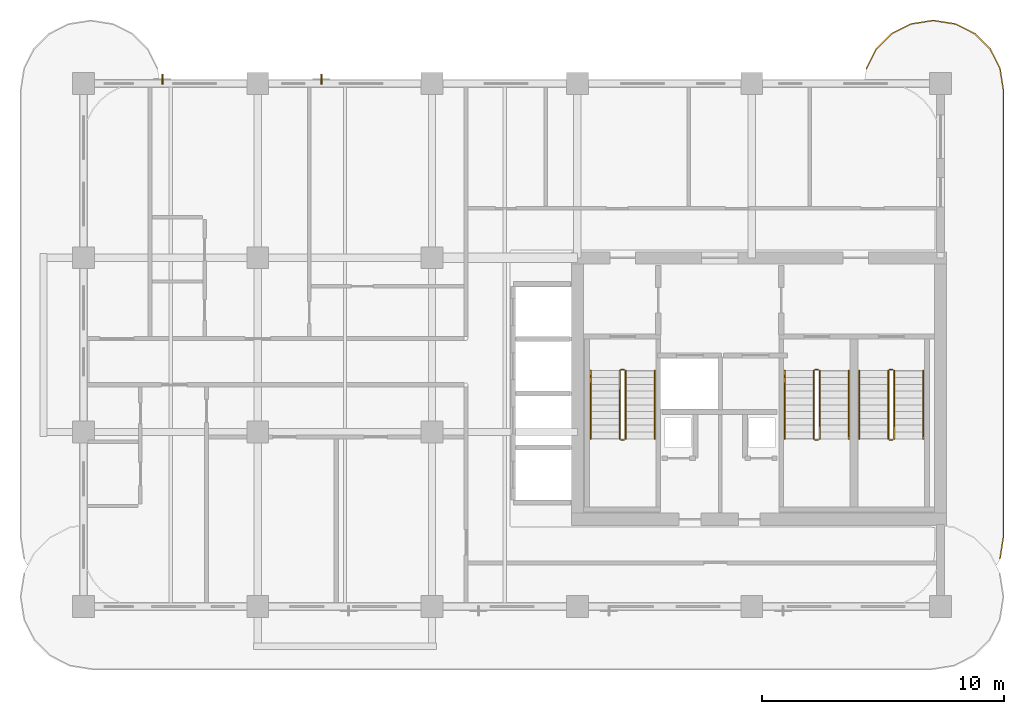
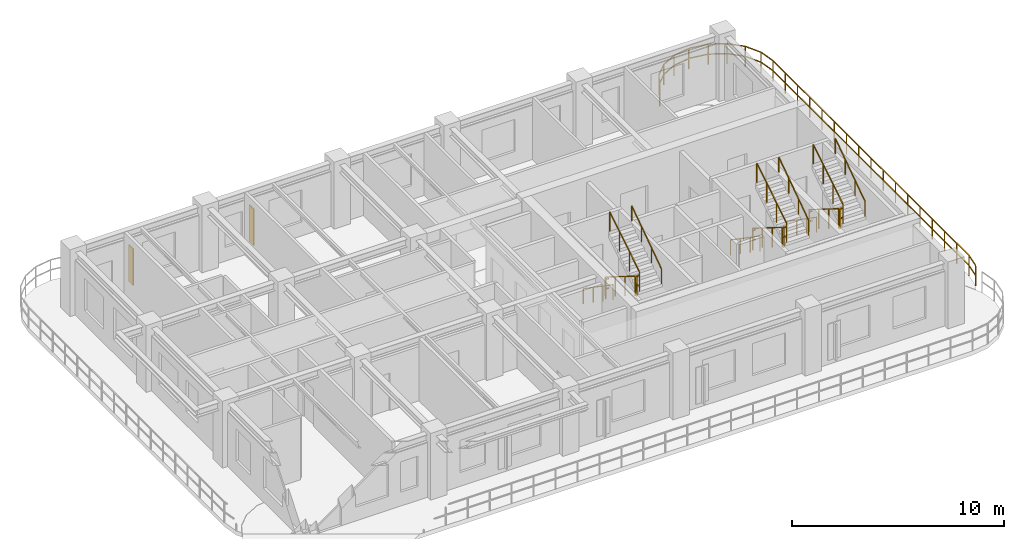
# One storey, part 7 of 7: 19 railings, 2 shading devices.
"""IFC4 building model written with IfcOpenShell, lengths in metres."""

from ifc_helpers import new_model, si_unit, derived_unit, direction, frame, origin, origin_2d, place, context, subcontext, project, spatial, rectangle, extrude, source, transform, mapped, material, layer, layer_set, type_object, type_shapes, element, save


model = new_model("IFC4")

# Units and contexts
model_context = context("Model", 3, precision=1e-05, world=origin(), true_north=direction((0.0, 1.0)))
body_context = subcontext(model_context, "Body", "Model", "MODEL_VIEW")
ifc_project = project(units=[si_unit("LENGTHUNIT", "METRE"), si_unit("AREAUNIT", "SQUARE_METRE"), si_unit("VOLUMEUNIT", "CUBIC_METRE"), si_unit("PLANEANGLEUNIT", "RADIAN"), si_unit("MASSUNIT", "GRAM", prefix="KILO"), si_unit("THERMODYNAMICTEMPERATUREUNIT", "KELVIN"), si_unit("POWERUNIT", "WATT"), derived_unit("THERMALTRANSMITTANCEUNIT", [(si_unit("POWERUNIT", "WATT"), 1), (si_unit("AREAUNIT", "SQUARE_METRE"), -1), (si_unit("THERMODYNAMICTEMPERATUREUNIT", "KELVIN"), -1)])], contexts=[model_context])

# Site, building, storey
site_placement = place(None, origin())
site = spatial("IfcSite", under=ifc_project, at=site_placement, CompositionType="ELEMENT")
building_placement = place(site_placement, origin())
building = spatial("IfcBuilding", under=site, at=building_placement, Name="Zahravan Archway Hotel and Residences", CompositionType="ELEMENT")
storey_placement = place(building_placement, frame((0.0, 0.0, 217.300048828125)))
storey = spatial("IfcBuildingStorey", under=building, at=storey_placement, Name="L54", CompositionType="ELEMENT", Elevation=217.300048828125)

# Railings
ifc_material_1 = material(Name="Bronze & Laminated Glass Balustrade", Category="glass")
railing_type_1 = type_object("IfcRailingType", Name="RL-BAL-1200", PredefinedType="BALUSTRADE", material=ifc_material_1)
railing_1_placement = place(storey_placement, frame((46.739501953125, 22.230712890625, 0.0)))
element("IfcRailing", 1, at=railing_1_placement, inside=storey, type_object=railing_type_1, Name="L54 Balustrade RL-SLB-BAL-L54-EA-1", PredefinedType="BALUSTRADE", context=body_context, shape_type="SweptSolid", body=[
    extrude(rectangle(XDim=0.048095703125, YDim=0.048095703125, at=origin_2d()), frame((0.0, 0.0, 1.17578125), z_axis=(0.453991409995, 0.891006060389, 0.0), x_axis=(-0.891006060389, 0.453991409995, 0.0)), (0.0, 0.0, 1.0), 0.8916015625),
    extrude(rectangle(XDim=0.048095703125, YDim=0.048095703125, at=origin_2d()), frame((0.0, 0.0, 0.60009765625), z_axis=(0.453991409995, 0.891006060389, 0.0), x_axis=(-0.891006060389, 0.453991409995, 0.0)), (0.0, 0.0, 1.0), 0.8916015625),
    extrude(rectangle(XDim=0.048095703125, YDim=0.048095703125, at=origin_2d()), frame((0.40478515625, 0.79443359375, 1.17578125), z_axis=(0.707106781187, 0.707106781187, 0.0), x_axis=(-0.707106781187, 0.707106781187, 0.0)), (0.0, 0.0, 1.0), 0.891845703125),
    extrude(rectangle(XDim=0.048095703125, YDim=0.048095703125, at=origin_2d()), frame((0.40478515625, 0.79443359375, 0.60009765625), z_axis=(0.707106781187, 0.707106781187, 0.0), x_axis=(-0.707106781187, 0.707106781187, 0.0)), (0.0, 0.0, 1.0), 0.891845703125),
    extrude(rectangle(XDim=0.048095703125, YDim=0.048095703125, at=origin_2d()), frame((1.035400390625, 1.425048828125, 1.17578125), z_axis=(0.891006060389, 0.453991409995, 0.0), x_axis=(-0.453991409995, 0.891006060389, 0.0)), (0.0, 0.0, 1.0), 0.8916015625),
    extrude(rectangle(XDim=0.048095703125, YDim=0.048095703125, at=origin_2d()), frame((1.035400390625, 1.425048828125, 0.60009765625), z_axis=(0.891006060389, 0.453991409995, 0.0), x_axis=(-0.453991409995, 0.891006060389, 0.0)), (0.0, 0.0, 1.0), 0.8916015625),
    extrude(rectangle(XDim=0.048095703125, YDim=0.048095703125, at=origin_2d()), frame((1.829833984375, 1.829833984375, 1.17578125), z_axis=(0.987700720307, 0.156356282588, 0.0), x_axis=(-0.156356282588, 0.987700720307, 0.0)), (0.0, 0.0, 1.0), 0.8916015625),
    extrude(rectangle(XDim=0.048095703125, YDim=0.048095703125, at=origin_2d()), frame((1.829833984375, 1.829833984375, 0.60009765625), z_axis=(0.987700720307, 0.156356282588, 0.0), x_axis=(-0.156356282588, 0.987700720307, 0.0)), (0.0, 0.0, 1.0), 0.8916015625),
    extrude(rectangle(XDim=0.048095703125, YDim=0.048095703125, at=origin_2d()), frame((2.71044921875, 1.96923828125, 1.17578125), z_axis=(1.0, 0.0, 0.0), x_axis=(0.0, 1.0, 0.0)), (0.0, 0.0, 1.0), 0.10009765625),
    extrude(rectangle(XDim=0.048095703125, YDim=0.048095703125, at=origin_2d()), frame((2.71044921875, 1.96923828125, 0.60009765625), z_axis=(1.0, 0.0, 0.0), x_axis=(0.0, 1.0, 0.0)), (0.0, 0.0, 1.0), 0.10009765625),
    extrude(rectangle(XDim=0.048095703125, YDim=0.048095703125, at=origin_2d()), frame((2.810546875, 1.96923828125, 1.17578125), z_axis=(0.987700720307, -0.156356282588, 0.0), x_axis=(0.156356282588, 0.987700720307, 0.0)), (0.0, 0.0, 1.0), 0.8916015625),
    extrude(rectangle(XDim=0.048095703125, YDim=0.048095703125, at=origin_2d()), frame((2.810546875, 1.96923828125, 0.60009765625), z_axis=(0.987700720307, -0.156356282588, 0.0), x_axis=(0.156356282588, 0.987700720307, 0.0)), (0.0, 0.0, 1.0), 0.8916015625),
    extrude(rectangle(XDim=0.048095703125, YDim=0.048095703125, at=origin_2d()), frame((3.691162109375, 1.829833984375, 1.17578125), z_axis=(0.891006060389, -0.453991409995, 0.0), x_axis=(0.453991409995, 0.891006060389, 0.0)), (0.0, 0.0, 1.0), 0.8916015625),
    extrude(rectangle(XDim=0.048095703125, YDim=0.048095703125, at=origin_2d()), frame((3.691162109375, 1.829833984375, 0.60009765625), z_axis=(0.891006060389, -0.453991409995, 0.0), x_axis=(0.453991409995, 0.891006060389, 0.0)), (0.0, 0.0, 1.0), 0.8916015625),
    extrude(rectangle(XDim=0.048095703125, YDim=0.048095703125, at=origin_2d()), frame((4.485595703125, 1.425048828125, 1.17578125), z_axis=(0.707106781187, -0.707106781187, 0.0), x_axis=(0.707106781187, 0.707106781187, 0.0)), (0.0, 0.0, 1.0), 0.891845703125),
    extrude(rectangle(XDim=0.048095703125, YDim=0.048095703125, at=origin_2d()), frame((4.485595703125, 1.425048828125, 0.60009765625), z_axis=(0.707106781187, -0.707106781187, 0.0), x_axis=(0.707106781187, 0.707106781187, 0.0)), (0.0, 0.0, 1.0), 0.891845703125),
    extrude(rectangle(XDim=0.048095703125, YDim=0.048095703125, at=origin_2d()), frame((5.1162109375, 0.79443359375, 1.17578125), z_axis=(0.453991409995, -0.891006060389, 0.0), x_axis=(0.891006060389, 0.453991409995, 0.0)), (0.0, 0.0, 1.0), 0.8916015625),
    extrude(rectangle(XDim=0.048095703125, YDim=0.048095703125, at=origin_2d()), frame((5.1162109375, 0.79443359375, 0.60009765625), z_axis=(0.453991409995, -0.891006060389, 0.0), x_axis=(0.891006060389, 0.453991409995, 0.0)), (0.0, 0.0, 1.0), 0.8916015625),
    extrude(rectangle(XDim=0.048095703125, YDim=0.048095703125, at=origin_2d()), frame((5.52099609375, 0.0, 1.17578125), z_axis=(0.156356282588, -0.987700720307, 0.0), x_axis=(0.987700720307, 0.156356282588, 0.0)), (0.0, 0.0, 1.0), 0.8916015625),
    extrude(rectangle(XDim=0.048095703125, YDim=0.048095703125, at=origin_2d()), frame((5.52099609375, 0.0, 0.60009765625), z_axis=(0.156356282588, -0.987700720307, 0.0), x_axis=(0.987700720307, 0.156356282588, 0.0)), (0.0, 0.0, 1.0), 0.8916015625),
    extrude(rectangle(XDim=0.048095703125, YDim=0.048095703125, at=origin_2d()), frame((5.660400390625, -0.880615234375, 1.17578125), z_axis=(0.0, -1.0, 0.0), x_axis=(1.0, 0.0, 0.0)), (0.0, 0.0, 1.0), 18.5),
    extrude(rectangle(XDim=0.048095703125, YDim=0.048095703125, at=origin_2d()), frame((5.660400390625, -0.880615234375, 0.60009765625), z_axis=(0.0, -1.0, 0.0), x_axis=(1.0, 0.0, 0.0)), (0.0, 0.0, 1.0), 18.5),
    extrude(rectangle(XDim=0.048095703125, YDim=0.048095703125, at=origin_2d()), frame((5.660400390625, -19.380615234375, 1.17578125), z_axis=(-0.156314005608, -0.987707411965, 0.0), x_axis=(0.987707411965, -0.156314005608, 0.0)), (0.0, 0.0, 1.0), 0.891845703125),
    extrude(rectangle(XDim=0.048095703125, YDim=0.048095703125, at=origin_2d()), frame((5.660400390625, -19.380615234375, 0.60009765625), z_axis=(-0.156314005608, -0.987707411965, 0.0), x_axis=(0.987707411965, -0.156314005608, 0.0)), (0.0, 0.0, 1.0), 0.891845703125),
    extrude(rectangle(XDim=0.0419921875, YDim=0.0419921875, at=origin_2d()), origin(), (0.0, 0.0, 1.0), 1.15185546875),
    extrude(rectangle(XDim=0.0419921875, YDim=0.0419921875, at=origin_2d()), frame((0.40478515625, 0.79443359375, 0.0)), (0.0, 0.0, 1.0), 1.15185546875),
    extrude(rectangle(XDim=0.0419921875, YDim=0.0419921875, at=origin_2d()), frame((1.035400390625, 1.425048828125, 0.0)), (0.0, 0.0, 1.0), 1.15185546875),
    extrude(rectangle(XDim=0.0419921875, YDim=0.0419921875, at=origin_2d()), frame((1.829833984375, 1.829833984375, 0.0)), (0.0, 0.0, 1.0), 1.15185546875),
    extrude(rectangle(XDim=0.0419921875, YDim=0.0419921875, at=origin_2d()), frame((2.71044921875, 1.96923828125, 0.0)), (0.0, 0.0, 1.0), 1.15185546875),
    extrude(rectangle(XDim=0.0419921875, YDim=0.0419921875, at=origin_2d()), frame((3.691162109375, 1.829833984375, 0.0)), (0.0, 0.0, 1.0), 1.15185546875),
    extrude(rectangle(XDim=0.0419921875, YDim=0.0419921875, at=origin_2d()), frame((4.485595703125, 1.425048828125, 0.0)), (0.0, 0.0, 1.0), 1.15185546875),
    extrude(rectangle(XDim=0.0419921875, YDim=0.0419921875, at=origin_2d()), frame((5.1162109375, 0.79443359375, 0.0)), (0.0, 0.0, 1.0), 1.15185546875),
    extrude(rectangle(XDim=0.0419921875, YDim=0.0419921875, at=origin_2d()), frame((5.52099609375, 0.0, 0.0)), (0.0, 0.0, 1.0), 1.15185546875),
    extrude(rectangle(XDim=0.0419921875, YDim=0.0419921875, at=origin_2d()), frame((5.660400390625, -0.880615234375, 0.0)), (0.0, 0.0, 1.0), 1.15185546875),
    extrude(rectangle(XDim=0.0419921875, YDim=0.0419921875, at=origin_2d()), frame((5.660400390625, -2.036865234375, 0.0)), (0.0, 0.0, 1.0), 1.15185546875),
    extrude(rectangle(XDim=0.0419921875, YDim=0.0419921875, at=origin_2d()), frame((5.660400390625, -3.193115234375, 0.0)), (0.0, 0.0, 1.0), 1.15185546875),
    extrude(rectangle(XDim=0.0419921875, YDim=0.0419921875, at=origin_2d()), frame((5.660400390625, -4.349365234375, 0.0)), (0.0, 0.0, 1.0), 1.15185546875),
    extrude(rectangle(XDim=0.0419921875, YDim=0.0419921875, at=origin_2d()), frame((5.660400390625, -5.505615234375, 0.0)), (0.0, 0.0, 1.0), 1.15185546875),
    extrude(rectangle(XDim=0.0419921875, YDim=0.0419921875, at=origin_2d()), frame((5.660400390625, -6.661865234375, 0.0)), (0.0, 0.0, 1.0), 1.15185546875),
    extrude(rectangle(XDim=0.0419921875, YDim=0.0419921875, at=origin_2d()), frame((5.660400390625, -7.818115234375, 0.0)), (0.0, 0.0, 1.0), 1.15185546875),
    extrude(rectangle(XDim=0.0419921875, YDim=0.0419921875, at=origin_2d()), frame((5.660400390625, -8.974365234375, 0.0)), (0.0, 0.0, 1.0), 1.15185546875),
    extrude(rectangle(XDim=0.0419921875, YDim=0.0419921875, at=origin_2d()), frame((5.660400390625, -10.130615234375, 0.0)), (0.0, 0.0, 1.0), 1.15185546875),
    extrude(rectangle(XDim=0.0419921875, YDim=0.0419921875, at=origin_2d()), frame((5.660400390625, -11.286865234375, 0.0)), (0.0, 0.0, 1.0), 1.15185546875),
    extrude(rectangle(XDim=0.0419921875, YDim=0.0419921875, at=origin_2d()), frame((5.660400390625, -12.443115234375, 0.0)), (0.0, 0.0, 1.0), 1.15185546875),
    extrude(rectangle(XDim=0.0419921875, YDim=0.0419921875, at=origin_2d()), frame((5.660400390625, -13.599365234375, 0.0)), (0.0, 0.0, 1.0), 1.15185546875),
    extrude(rectangle(XDim=0.0419921875, YDim=0.0419921875, at=origin_2d()), frame((5.660400390625, -14.755615234375, 0.0)), (0.0, 0.0, 1.0), 1.15185546875),
    extrude(rectangle(XDim=0.0419921875, YDim=0.0419921875, at=origin_2d()), frame((5.660400390625, -15.911865234375, 0.0)), (0.0, 0.0, 1.0), 1.15185546875),
    extrude(rectangle(XDim=0.0419921875, YDim=0.0419921875, at=origin_2d()), frame((5.660400390625, -17.068115234375, 0.0)), (0.0, 0.0, 1.0), 1.15185546875),
    extrude(rectangle(XDim=0.0419921875, YDim=0.0419921875, at=origin_2d()), frame((5.660400390625, -18.224365234375, 0.0)), (0.0, 0.0, 1.0), 1.15185546875),
    extrude(rectangle(XDim=0.0419921875, YDim=0.0419921875, at=origin_2d()), frame((5.660400390625, -19.380615234375, 0.0)), (0.0, 0.0, 1.0), 1.15185546875),
    extrude(rectangle(XDim=0.0419921875, YDim=0.0419921875, at=origin_2d()), frame((5.52099609375, -20.261474609375, 0.0)), (0.0, 0.0, 1.0), 1.15185546875),
])
ifc_material_2 = material(Name="Painted Tubular Steel", Category="steel")
railing_type_2 = type_object("IfcRailingType", Name="RL-STG-1150", PredefinedType="GUARDRAIL", material=ifc_material_2)
railing_2_placement = place(storey_placement, frame((36.550048828125, 9.72998046875, 0.175048828125)))
element("IfcRailing", 2, at=railing_2_placement, inside=storey, type_object=railing_type_2, Name="L54 ST-A1 stair guard 1", PredefinedType="GUARDRAIL", context=body_context, shape_type="SweptSolid", body=[
    extrude(rectangle(XDim=0.048095703125, YDim=0.048095703125, at=origin_2d()), frame((0.0, 0.0, 1.1259765625), z_axis=(0.0, -0.848002457836, 0.529992293815), x_axis=(1.0, 0.0, 0.0)), (0.0, 0.0, 1.0), 3.302001953125),
    extrude(rectangle(XDim=0.0419921875, YDim=0.0419921875, at=origin_2d()), origin(), (0.0, 0.0, 1.0), 1.101806640625),
    extrude(rectangle(XDim=0.0419921875, YDim=0.0419921875, at=origin_2d()), frame((0.0, -0.933349609375, 0.583251953125)), (0.0, 0.0, 1.0), 1.101806640625),
    extrude(rectangle(XDim=0.0419921875, YDim=0.0419921875, at=origin_2d()), frame((0.0, -1.86669921875, 1.166748046875)), (0.0, 0.0, 1.0), 1.101806640625),
    extrude(rectangle(XDim=0.0419921875, YDim=0.0419921875, at=origin_2d()), frame((0.0, -2.800048828125, 1.75)), (0.0, 0.0, 1.0), 1.101806640625),
])
railing_3_placement = place(storey_placement, frame((36.60009765625, 6.8798828125, 1.925048828125)))
element("IfcRailing", 3, at=railing_3_placement, inside=storey, type_object=railing_type_2, Name="L54 ST-A1 stair guard 2", PredefinedType="GUARDRAIL", context=body_context, shape_type="SweptSolid", body=[
    extrude(rectangle(XDim=0.048095703125, YDim=0.048095703125, at=origin_2d()), frame((0.0, 0.0, 1.1259765625), z_axis=(1.0, 0.0, 0.0), x_axis=(0.0, 1.0, 0.0)), (0.0, 0.0, 1.0), 0.139892578125),
    extrude(rectangle(XDim=0.048095703125, YDim=0.048095703125, at=origin_2d()), frame((0.0, 0.0, 0.574951171875), z_axis=(1.0, 0.0, 0.0), x_axis=(0.0, 1.0, 0.0)), (0.0, 0.0, 1.0), 0.139892578125),
    extrude(rectangle(XDim=0.0419921875, YDim=0.0419921875, at=origin_2d()), origin(), (0.0, 0.0, 1.0), 1.101806640625),
])
railing_4_placement = place(storey_placement, frame((36.7900390625, 6.929931640625, 2.099853515625)))
element("IfcRailing", 4, at=railing_4_placement, inside=storey, type_object=railing_type_2, Name="L54 ST-A1 stair guard 3", PredefinedType="GUARDRAIL", context=body_context, shape_type="SweptSolid", body=[
    extrude(rectangle(XDim=0.048095703125, YDim=0.048095703125, at=origin_2d()), frame((0.0, 0.0, 1.1259765625), z_axis=(0.0, 0.848002457836, 0.529992293815), x_axis=(-1.0, 0.0, 0.0)), (0.0, 0.0, 1.0), 3.302001953125),
    extrude(rectangle(XDim=0.0419921875, YDim=0.0419921875, at=origin_2d()), origin(), (0.0, 0.0, 1.0), 1.101806640625),
    extrude(rectangle(XDim=0.0419921875, YDim=0.0419921875, at=origin_2d()), frame((0.0, 0.933349609375, 0.583251953125)), (0.0, 0.0, 1.0), 1.101806640625),
    extrude(rectangle(XDim=0.0419921875, YDim=0.0419921875, at=origin_2d()), frame((0.0, 1.86669921875, 1.166748046875)), (0.0, 0.0, 1.0), 1.101806640625),
    extrude(rectangle(XDim=0.0419921875, YDim=0.0419921875, at=origin_2d()), frame((0.0, 2.800048828125, 1.75)), (0.0, 0.0, 1.0), 1.101806640625),
])
railing_5_placement = place(storey_placement, frame((36.60009765625, 9.780029296875, 0.0)))
element("IfcRailing", 5, at=railing_5_placement, inside=storey, type_object=railing_type_2, Name="L54 ST-A1 stair guard 4", PredefinedType="GUARDRAIL", context=body_context, shape_type="SweptSolid", body=[
    extrude(rectangle(XDim=0.048095703125, YDim=0.048095703125, at=origin_2d()), frame((0.0, 0.0, 1.1259765625), z_axis=(1.0, 0.0, 0.0), x_axis=(0.0, 1.0, 0.0)), (0.0, 0.0, 1.0), 0.139892578125),
    extrude(rectangle(XDim=0.048095703125, YDim=0.048095703125, at=origin_2d()), frame((0.0, 0.0, 0.574951171875), z_axis=(1.0, 0.0, 0.0), x_axis=(0.0, 1.0, 0.0)), (0.0, 0.0, 1.0), 0.139892578125),
    extrude(rectangle(XDim=0.0419921875, YDim=0.0419921875, at=origin_2d()), origin(), (0.0, 0.0, 1.0), 1.101806640625),
])
railing_6_placement = place(storey_placement, frame((44.570068359375, 9.72998046875, 0.175048828125)))
element("IfcRailing", 6, at=railing_6_placement, inside=storey, type_object=railing_type_2, Name="L54 ST-A2 stair guard 1", PredefinedType="GUARDRAIL", context=body_context, shape_type="SweptSolid", body=[
    extrude(rectangle(XDim=0.048095703125, YDim=0.048095703125, at=origin_2d()), frame((0.0, 0.0, 1.1259765625), z_axis=(0.0, -0.848002457836, 0.529992293815), x_axis=(1.0, 0.0, 0.0)), (0.0, 0.0, 1.0), 3.302001953125),
    extrude(rectangle(XDim=0.0419921875, YDim=0.0419921875, at=origin_2d()), origin(), (0.0, 0.0, 1.0), 1.101806640625),
    extrude(rectangle(XDim=0.0419921875, YDim=0.0419921875, at=origin_2d()), frame((0.0, -0.933349609375, 0.583251953125)), (0.0, 0.0, 1.0), 1.101806640625),
    extrude(rectangle(XDim=0.0419921875, YDim=0.0419921875, at=origin_2d()), frame((0.0, -1.86669921875, 1.166748046875)), (0.0, 0.0, 1.0), 1.101806640625),
    extrude(rectangle(XDim=0.0419921875, YDim=0.0419921875, at=origin_2d()), frame((0.0, -2.800048828125, 1.75)), (0.0, 0.0, 1.0), 1.101806640625),
])
railing_7_placement = place(storey_placement, frame((44.6201171875, 6.8798828125, 1.925048828125)))
element("IfcRailing", 7, at=railing_7_placement, inside=storey, type_object=railing_type_2, Name="L54 ST-A2 stair guard 2", PredefinedType="GUARDRAIL", context=body_context, shape_type="SweptSolid", body=[
    extrude(rectangle(XDim=0.048095703125, YDim=0.048095703125, at=origin_2d()), frame((0.0, 0.0, 1.1259765625), z_axis=(1.0, 0.0, 0.0), x_axis=(0.0, 1.0, 0.0)), (0.0, 0.0, 1.0), 0.139892578125),
    extrude(rectangle(XDim=0.048095703125, YDim=0.048095703125, at=origin_2d()), frame((0.0, 0.0, 0.574951171875), z_axis=(1.0, 0.0, 0.0), x_axis=(0.0, 1.0, 0.0)), (0.0, 0.0, 1.0), 0.139892578125),
    extrude(rectangle(XDim=0.0419921875, YDim=0.0419921875, at=origin_2d()), origin(), (0.0, 0.0, 1.0), 1.101806640625),
])
railing_8_placement = place(storey_placement, frame((44.81005859375, 6.929931640625, 2.099853515625)))
element("IfcRailing", 8, at=railing_8_placement, inside=storey, type_object=railing_type_2, Name="L54 ST-A2 stair guard 3", PredefinedType="GUARDRAIL", context=body_context, shape_type="SweptSolid", body=[
    extrude(rectangle(XDim=0.048095703125, YDim=0.048095703125, at=origin_2d()), frame((0.0, 0.0, 1.1259765625), z_axis=(0.0, 0.848002457836, 0.529992293815), x_axis=(-1.0, 0.0, 0.0)), (0.0, 0.0, 1.0), 3.302001953125),
    extrude(rectangle(XDim=0.0419921875, YDim=0.0419921875, at=origin_2d()), origin(), (0.0, 0.0, 1.0), 1.101806640625),
    extrude(rectangle(XDim=0.0419921875, YDim=0.0419921875, at=origin_2d()), frame((0.0, 0.933349609375, 0.583251953125)), (0.0, 0.0, 1.0), 1.101806640625),
    extrude(rectangle(XDim=0.0419921875, YDim=0.0419921875, at=origin_2d()), frame((0.0, 1.86669921875, 1.166748046875)), (0.0, 0.0, 1.0), 1.101806640625),
    extrude(rectangle(XDim=0.0419921875, YDim=0.0419921875, at=origin_2d()), frame((0.0, 2.800048828125, 1.75)), (0.0, 0.0, 1.0), 1.101806640625),
])
railing_9_placement = place(storey_placement, frame((44.6201171875, 9.780029296875, 0.0)))
element("IfcRailing", 9, at=railing_9_placement, inside=storey, type_object=railing_type_2, Name="L54 ST-A2 stair guard 4", PredefinedType="GUARDRAIL", context=body_context, shape_type="SweptSolid", body=[
    extrude(rectangle(XDim=0.048095703125, YDim=0.048095703125, at=origin_2d()), frame((0.0, 0.0, 1.1259765625), z_axis=(1.0, 0.0, 0.0), x_axis=(0.0, 1.0, 0.0)), (0.0, 0.0, 1.0), 0.139892578125),
    extrude(rectangle(XDim=0.048095703125, YDim=0.048095703125, at=origin_2d()), frame((0.0, 0.0, 0.574951171875), z_axis=(1.0, 0.0, 0.0), x_axis=(0.0, 1.0, 0.0)), (0.0, 0.0, 1.0), 0.139892578125),
    extrude(rectangle(XDim=0.0419921875, YDim=0.0419921875, at=origin_2d()), origin(), (0.0, 0.0, 1.0), 1.101806640625),
])
railing_10_placement = place(storey_placement, frame((47.64990234375, 9.72998046875, 0.175048828125)))
element("IfcRailing", 10, at=railing_10_placement, inside=storey, type_object=railing_type_2, Name="L54 ST-A3 stair guard 1", PredefinedType="GUARDRAIL", context=body_context, shape_type="SweptSolid", body=[
    extrude(rectangle(XDim=0.048095703125, YDim=0.048095703125, at=origin_2d()), frame((0.0, 0.0, 1.1259765625), z_axis=(0.0, -0.848002457836, 0.529992293815), x_axis=(1.0, 0.0, 0.0)), (0.0, 0.0, 1.0), 3.302001953125),
    extrude(rectangle(XDim=0.0419921875, YDim=0.0419921875, at=origin_2d()), origin(), (0.0, 0.0, 1.0), 1.101806640625),
    extrude(rectangle(XDim=0.0419921875, YDim=0.0419921875, at=origin_2d()), frame((0.0, -0.933349609375, 0.583251953125)), (0.0, 0.0, 1.0), 1.101806640625),
    extrude(rectangle(XDim=0.0419921875, YDim=0.0419921875, at=origin_2d()), frame((0.0, -1.86669921875, 1.166748046875)), (0.0, 0.0, 1.0), 1.101806640625),
    extrude(rectangle(XDim=0.0419921875, YDim=0.0419921875, at=origin_2d()), frame((0.0, -2.800048828125, 1.75)), (0.0, 0.0, 1.0), 1.101806640625),
])
railing_11_placement = place(storey_placement, frame((47.699951171875, 6.8798828125, 1.925048828125)))
element("IfcRailing", 11, at=railing_11_placement, inside=storey, type_object=railing_type_2, Name="L54 ST-A3 stair guard 2", PredefinedType="GUARDRAIL", context=body_context, shape_type="SweptSolid", body=[
    extrude(rectangle(XDim=0.048095703125, YDim=0.048095703125, at=origin_2d()), frame((0.0, 0.0, 1.1259765625), z_axis=(1.0, 0.0, 0.0), x_axis=(0.0, 1.0, 0.0)), (0.0, 0.0, 1.0), 0.14013671875),
    extrude(rectangle(XDim=0.048095703125, YDim=0.048095703125, at=origin_2d()), frame((0.0, 0.0, 0.574951171875), z_axis=(1.0, 0.0, 0.0), x_axis=(0.0, 1.0, 0.0)), (0.0, 0.0, 1.0), 0.14013671875),
    extrude(rectangle(XDim=0.0419921875, YDim=0.0419921875, at=origin_2d()), origin(), (0.0, 0.0, 1.0), 1.101806640625),
])
railing_12_placement = place(storey_placement, frame((47.889892578125, 6.929931640625, 2.099853515625)))
element("IfcRailing", 12, at=railing_12_placement, inside=storey, type_object=railing_type_2, Name="L54 ST-A3 stair guard 3", PredefinedType="GUARDRAIL", context=body_context, shape_type="SweptSolid", body=[
    extrude(rectangle(XDim=0.048095703125, YDim=0.048095703125, at=origin_2d()), frame((0.0, 0.0, 1.1259765625), z_axis=(0.0, 0.848002457836, 0.529992293815), x_axis=(-1.0, 0.0, 0.0)), (0.0, 0.0, 1.0), 3.302001953125),
    extrude(rectangle(XDim=0.0419921875, YDim=0.0419921875, at=origin_2d()), origin(), (0.0, 0.0, 1.0), 1.101806640625),
    extrude(rectangle(XDim=0.0419921875, YDim=0.0419921875, at=origin_2d()), frame((0.0, 0.933349609375, 0.583251953125)), (0.0, 0.0, 1.0), 1.101806640625),
    extrude(rectangle(XDim=0.0419921875, YDim=0.0419921875, at=origin_2d()), frame((0.0, 1.86669921875, 1.166748046875)), (0.0, 0.0, 1.0), 1.101806640625),
    extrude(rectangle(XDim=0.0419921875, YDim=0.0419921875, at=origin_2d()), frame((0.0, 2.800048828125, 1.75)), (0.0, 0.0, 1.0), 1.101806640625),
])
railing_13_placement = place(storey_placement, frame((47.699951171875, 9.780029296875, 0.0)))
element("IfcRailing", 13, at=railing_13_placement, inside=storey, type_object=railing_type_2, Name="L54 ST-A3 stair guard 4", PredefinedType="GUARDRAIL", context=body_context, shape_type="SweptSolid", body=[
    extrude(rectangle(XDim=0.048095703125, YDim=0.048095703125, at=origin_2d()), frame((0.0, 0.0, 1.1259765625), z_axis=(1.0, 0.0, 0.0), x_axis=(0.0, 1.0, 0.0)), (0.0, 0.0, 1.0), 0.14013671875),
    extrude(rectangle(XDim=0.048095703125, YDim=0.048095703125, at=origin_2d()), frame((0.0, 0.0, 0.574951171875), z_axis=(1.0, 0.0, 0.0), x_axis=(0.0, 1.0, 0.0)), (0.0, 0.0, 1.0), 0.14013671875),
    extrude(rectangle(XDim=0.0419921875, YDim=0.0419921875, at=origin_2d()), origin(), (0.0, 0.0, 1.0), 1.101806640625),
])
ifc_material_3 = material(Name="Brushed Stainless Steel", Category="steel")
railing_type_3 = type_object("IfcRailingType", Name="RL-STH-900", PredefinedType="HANDRAIL", material=ifc_material_3)
railing_14_placement = place(storey_placement, frame((35.35009765625, 9.72998046875, 0.175048828125)))
element("IfcRailing", 14, at=railing_14_placement, inside=storey, type_object=railing_type_3, Name="L54 ST-A1 stair handrail 1", PredefinedType="HANDRAIL", context=body_context, shape_type="SweptSolid", body=[
    extrude(rectangle(XDim=0.048095703125, YDim=0.048095703125, at=origin_2d()), frame((0.0, 0.0, 0.8759765625), z_axis=(0.0, -0.824073370198, 0.566483080534), x_axis=(1.0, 0.0, 0.0)), (0.0, 0.0, 1.0), 3.397705078125),
    extrude(rectangle(XDim=0.0419921875, YDim=0.0419921875, at=origin_2d()), origin(), (0.0, 0.0, 1.0), 0.851806640625),
    extrude(rectangle(XDim=0.0419921875, YDim=0.0419921875, at=origin_2d()), frame((0.0, -0.933349609375, 0.6416015625)), (0.0, 0.0, 1.0), 0.851806640625),
    extrude(rectangle(XDim=0.0419921875, YDim=0.0419921875, at=origin_2d()), frame((0.0, -1.86669921875, 1.283203125)), (0.0, 0.0, 1.0), 0.851806640625),
    extrude(rectangle(XDim=0.0419921875, YDim=0.0419921875, at=origin_2d()), frame((0.0, -2.800048828125, 1.9248046875)), (0.0, 0.0, 1.0), 0.851806640625),
])
railing_15_placement = place(storey_placement, frame((37.989990234375, 6.929931640625, 2.099853515625)))
element("IfcRailing", 15, at=railing_15_placement, inside=storey, type_object=railing_type_3, Name="L54 ST-A1 stair handrail 2", PredefinedType="HANDRAIL", context=body_context, shape_type="SweptSolid", body=[
    extrude(rectangle(XDim=0.048095703125, YDim=0.048095703125, at=origin_2d()), frame((0.0, 0.0, 0.8759765625), z_axis=(0.0, 0.824039827795, 0.566531872191), x_axis=(-1.0, 0.0, 0.0)), (0.0, 0.0, 1.0), 3.39794921875),
    extrude(rectangle(XDim=0.0419921875, YDim=0.0419921875, at=origin_2d()), origin(), (0.0, 0.0, 1.0), 0.851806640625),
    extrude(rectangle(XDim=0.0419921875, YDim=0.0419921875, at=origin_2d()), frame((0.0, 0.933349609375, 0.6416015625)), (0.0, 0.0, 1.0), 0.851806640625),
    extrude(rectangle(XDim=0.0419921875, YDim=0.0419921875, at=origin_2d()), frame((0.0, 1.86669921875, 1.283447265625)), (0.0, 0.0, 1.0), 0.851806640625),
    extrude(rectangle(XDim=0.0419921875, YDim=0.0419921875, at=origin_2d()), frame((0.0, 2.800048828125, 1.925048828125)), (0.0, 0.0, 1.0), 0.851806640625),
])
railing_16_placement = place(storey_placement, frame((43.3701171875, 9.72998046875, 0.175048828125)))
element("IfcRailing", 16, at=railing_16_placement, inside=storey, type_object=railing_type_3, Name="L54 ST-A2 stair handrail 1", PredefinedType="HANDRAIL", context=body_context, shape_type="SweptSolid", body=[
    extrude(rectangle(XDim=0.048095703125, YDim=0.048095703125, at=origin_2d()), frame((0.0, 0.0, 0.8759765625), z_axis=(0.0, -0.824073370198, 0.566483080534), x_axis=(1.0, 0.0, 0.0)), (0.0, 0.0, 1.0), 3.397705078125),
    extrude(rectangle(XDim=0.0419921875, YDim=0.0419921875, at=origin_2d()), origin(), (0.0, 0.0, 1.0), 0.851806640625),
    extrude(rectangle(XDim=0.0419921875, YDim=0.0419921875, at=origin_2d()), frame((0.0, -0.933349609375, 0.6416015625)), (0.0, 0.0, 1.0), 0.851806640625),
    extrude(rectangle(XDim=0.0419921875, YDim=0.0419921875, at=origin_2d()), frame((0.0, -1.86669921875, 1.283203125)), (0.0, 0.0, 1.0), 0.851806640625),
    extrude(rectangle(XDim=0.0419921875, YDim=0.0419921875, at=origin_2d()), frame((0.0, -2.800048828125, 1.9248046875)), (0.0, 0.0, 1.0), 0.851806640625),
])
railing_17_placement = place(storey_placement, frame((46.010009765625, 6.929931640625, 2.099853515625)))
element("IfcRailing", 17, at=railing_17_placement, inside=storey, type_object=railing_type_3, Name="L54 ST-A2 stair handrail 2", PredefinedType="HANDRAIL", context=body_context, shape_type="SweptSolid", body=[
    extrude(rectangle(XDim=0.048095703125, YDim=0.048095703125, at=origin_2d()), frame((0.0, 0.0, 0.8759765625), z_axis=(0.0, 0.824039827795, 0.566531872191), x_axis=(-1.0, 0.0, 0.0)), (0.0, 0.0, 1.0), 3.39794921875),
    extrude(rectangle(XDim=0.0419921875, YDim=0.0419921875, at=origin_2d()), origin(), (0.0, 0.0, 1.0), 0.851806640625),
    extrude(rectangle(XDim=0.0419921875, YDim=0.0419921875, at=origin_2d()), frame((0.0, 0.933349609375, 0.6416015625)), (0.0, 0.0, 1.0), 0.851806640625),
    extrude(rectangle(XDim=0.0419921875, YDim=0.0419921875, at=origin_2d()), frame((0.0, 1.86669921875, 1.283447265625)), (0.0, 0.0, 1.0), 0.851806640625),
    extrude(rectangle(XDim=0.0419921875, YDim=0.0419921875, at=origin_2d()), frame((0.0, 2.800048828125, 1.925048828125)), (0.0, 0.0, 1.0), 0.851806640625),
])
railing_18_placement = place(storey_placement, frame((46.449951171875, 9.72998046875, 0.175048828125)))
element("IfcRailing", 18, at=railing_18_placement, inside=storey, type_object=railing_type_3, Name="L54 ST-A3 stair handrail 1", PredefinedType="HANDRAIL", context=body_context, shape_type="SweptSolid", body=[
    extrude(rectangle(XDim=0.048095703125, YDim=0.048095703125, at=origin_2d()), frame((0.0, 0.0, 0.8759765625), z_axis=(0.0, -0.824073370198, 0.566483080534), x_axis=(1.0, 0.0, 0.0)), (0.0, 0.0, 1.0), 3.397705078125),
    extrude(rectangle(XDim=0.0419921875, YDim=0.0419921875, at=origin_2d()), origin(), (0.0, 0.0, 1.0), 0.851806640625),
    extrude(rectangle(XDim=0.0419921875, YDim=0.0419921875, at=origin_2d()), frame((0.0, -0.933349609375, 0.6416015625)), (0.0, 0.0, 1.0), 0.851806640625),
    extrude(rectangle(XDim=0.0419921875, YDim=0.0419921875, at=origin_2d()), frame((0.0, -1.86669921875, 1.283203125)), (0.0, 0.0, 1.0), 0.851806640625),
    extrude(rectangle(XDim=0.0419921875, YDim=0.0419921875, at=origin_2d()), frame((0.0, -2.800048828125, 1.9248046875)), (0.0, 0.0, 1.0), 0.851806640625),
])
railing_19_placement = place(storey_placement, frame((49.090087890625, 6.929931640625, 2.099853515625)))
element("IfcRailing", 19, at=railing_19_placement, inside=storey, type_object=railing_type_3, Name="L54 ST-A3 stair handrail 2", PredefinedType="HANDRAIL", context=body_context, shape_type="SweptSolid", body=[
    extrude(rectangle(XDim=0.048095703125, YDim=0.048095703125, at=origin_2d()), frame((0.0, 0.0, 0.8759765625), z_axis=(0.0, 0.824039827795, 0.566531872191), x_axis=(-1.0, 0.0, 0.0)), (0.0, 0.0, 1.0), 3.39794921875),
    extrude(rectangle(XDim=0.0419921875, YDim=0.0419921875, at=origin_2d()), origin(), (0.0, 0.0, 1.0), 0.851806640625),
    extrude(rectangle(XDim=0.0419921875, YDim=0.0419921875, at=origin_2d()), frame((0.0, 0.933349609375, 0.6416015625)), (0.0, 0.0, 1.0), 0.851806640625),
    extrude(rectangle(XDim=0.0419921875, YDim=0.0419921875, at=origin_2d()), frame((0.0, 1.86669921875, 1.283447265625)), (0.0, 0.0, 1.0), 0.851806640625),
    extrude(rectangle(XDim=0.0419921875, YDim=0.0419921875, at=origin_2d()), frame((0.0, 2.800048828125, 1.925048828125)), (0.0, 0.0, 1.0), 0.851806640625),
])

# Shading devices
ifc_material_4 = material(Name="Terracotta & Bronze Solar Brise-Soleil", Category="masonry")
ifc_layer = layer(ifc_material_4, 0.06005859375, Name="Terracotta & Bronze Solar Brise-Soleil", Category="masonry")
ifc_layer_set = layer_set([ifc_layer], Name="Terracotta & Bronze Solar Brise-Soleil")
shading_device_type = type_object("IfcShadingDeviceType", Name="SHD-MASH-FIN", PredefinedType="JALOUSIE", material=ifc_layer_set)
shared_shape = source(origin(), body_context, "Body", "SweptSolid", [
    extrude(rectangle(XDim=0.06005859375, YDim=0.419921875, at=origin_2d()), origin(), (0.0, 0.0, 1.0), 2.10009765625),
])
type_shapes(shading_device_type, [shared_shape])
for number, where, z_axis, x_axis, name in (
    (20, (17.657958984375, 21.778076171875, 0.25), (0.0, 0.0, 1.0), (1.0, 0.0, 0.0), "L54 Solar Mashrabiya Fin 05"),
    (21, (24.22802734375, 21.778076171875, 0.25), (0.0, 0.0, 1.0), (1.0, 0.0, 0.0), "L54 Solar Mashrabiya Fin 06"),
):
    element("IfcShadingDevice", number, at=place(storey_placement, frame(where, z_axis=z_axis, x_axis=x_axis)), inside=storey, type_object=shading_device_type, Name=name, PredefinedType="JALOUSIE", context=body_context, shape_type="MappedRepresentation", body=[
        mapped(shared_shape, transform((0.0, 0.0, 0.0), scale=1.0)),
    ])

save(model, "model.ifc")
